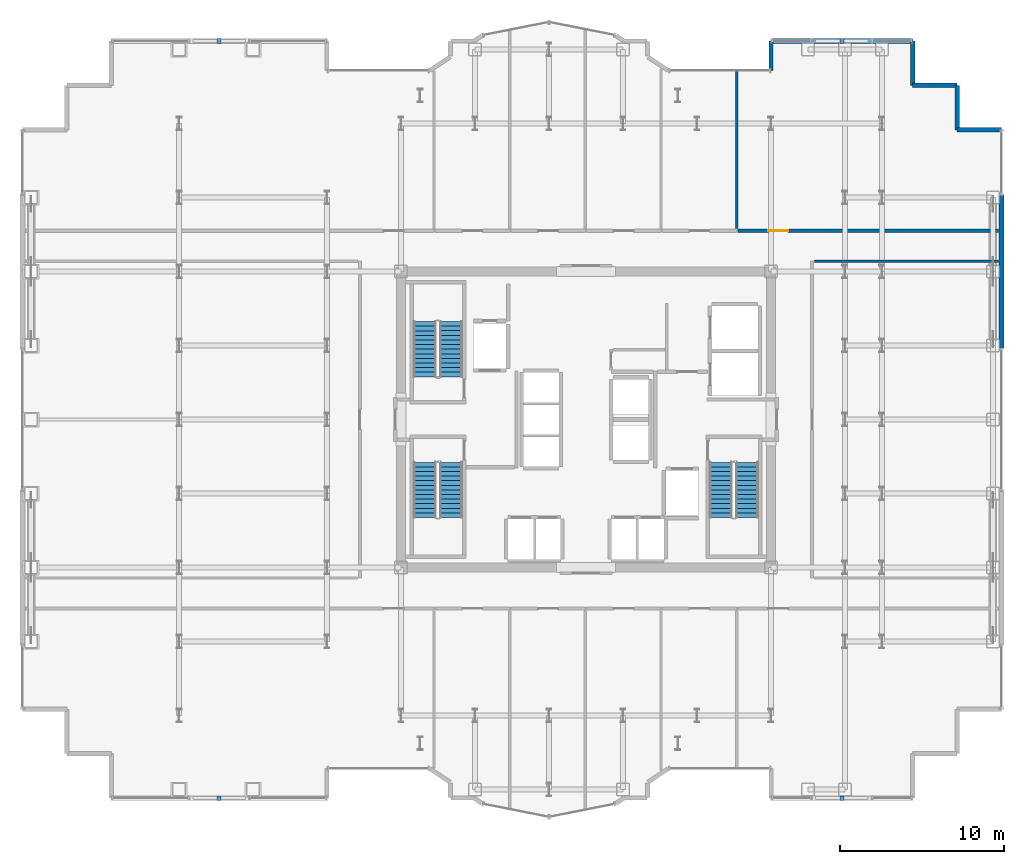
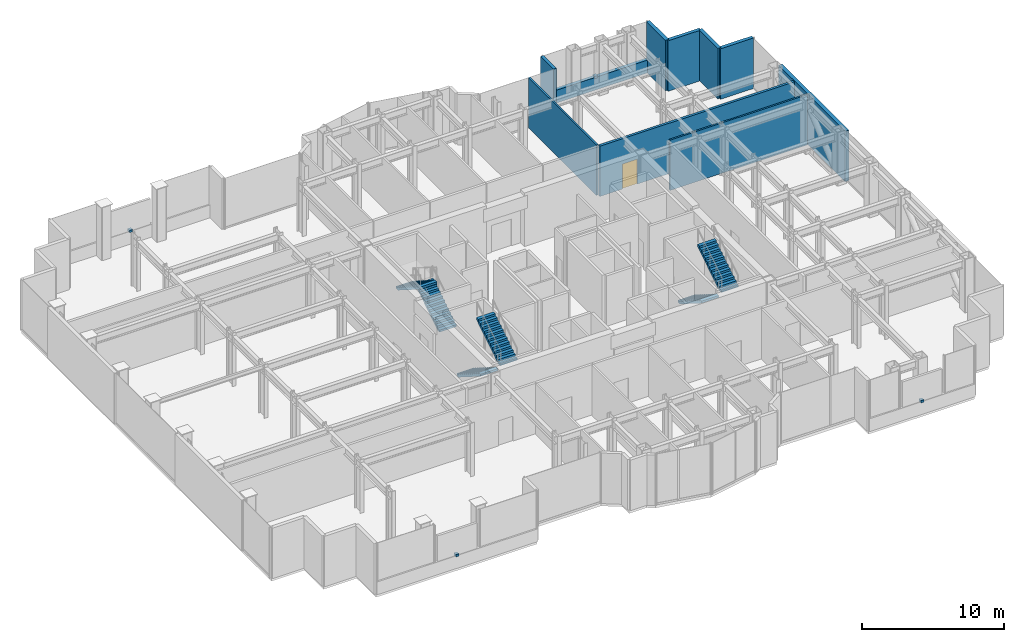
# One storey, part 23 of 26: 10 walls, 6 stair flights, 4 discrete accessories, 1 door, 1 opening, 3 elements without a shape of their own.
"""IFC4 building model written with IfcOpenShell, lengths in metres."""

from ifc_helpers import new_model, si_unit, direction, frame, frame_2d, origin, origin_2d, place, context, subcontext, project, spatial, polyline, rectangle, outline, extrude, source, transform, mapped, material, layer, layer_set, type_object, element, fill, aggregate, save


model = new_model("IFC4")

# Units and contexts
model_context = context("Model", 3, precision=1e-05, world=origin(), true_north=direction((0.0, 1.0)))
body_context = subcontext(model_context, "Body", "Model", "MODEL_VIEW")
ifc_project = project(units=[si_unit("LENGTHUNIT", "METRE"), si_unit("AREAUNIT", "SQUARE_METRE"), si_unit("VOLUMEUNIT", "CUBIC_METRE"), si_unit("PLANEANGLEUNIT", "RADIAN"), si_unit("MASSUNIT", "GRAM", prefix="KILO")], contexts=[model_context])

# Site, building, storey
site_placement = place(None, origin())
site = spatial("IfcSite", under=ifc_project, at=site_placement, CompositionType="ELEMENT")
building_placement = place(site_placement, origin())
building = spatial("IfcBuilding", under=site, at=building_placement, Name="Nefas-Gora Pilgrimage Tower", CompositionType="ELEMENT")
storey_placement = place(building_placement, frame((0.0, 0.0, 202.0)))
storey = spatial("IfcBuildingStorey", under=building, at=storey_placement, Name="L50", CompositionType="ELEMENT", Elevation=202.0)

# Walls
ifc_material_1 = material(Name="Precast concrete C45/55", Category="concrete")
ifc_layer_1 = layer(ifc_material_1, 0.239990234375)
ifc_layer_set_1 = layer_set([ifc_layer_1], Name="Precast concrete C45/55")
wall_type_1 = type_object("IfcWallType", Name="EW-SERR-240", PredefinedType="SHEAR", material=ifc_layer_set_1)
shared_shape_1 = source(origin(), body_context, "Body", "SweptSolid", [
    extrude(rectangle(XDim=9.3798828125, YDim=0.300048828125, at=frame_2d((4.68994140625, 0.0))), origin(), (0.0, 0.0, 1.0), 4.35009765625),
])
wall_1_placement = place(storey_placement, frame((25.27001953125, 4.31005859375, 0.0), z_axis=(0.0, 0.0, 1.0), x_axis=(0.0, 1.0, 0.0)))
element("IfcWall", 1, at=wall_1_placement, inside=storey, type_object=wall_type_1, Name="L50 Belt-Truss Precast Shear Cladding 4", PredefinedType="SHEAR", context=body_context, shape_type="MappedRepresentation", body=[
    mapped(shared_shape_1, transform((0.0, 0.0, 0.0), x_axis=(1.0, 0.0, 0.0), y_axis=(0.0, 1.0, 0.0), z_axis=(0.0, 0.0, 1.0), scale=1.0)),
])
ifc_material_2 = material(Name="Precast concrete C40/50", Category="concrete")
ifc_layer_2 = layer(ifc_material_2, 0.260009765625)
ifc_layer_set_2 = layer_set([ifc_layer_2], Name="Precast concrete C40/50")
wall_type_2 = type_object("IfcWallType", Name="EW-PORTAL-260", PredefinedType="SOLIDWALL", material=ifc_layer_set_2)
shared_shape_2 = source(origin(), body_context, "Body", "SweptSolid", [
    extrude(rectangle(XDim=1.800048828125, YDim=0.260009765625, at=frame_2d((0.89990234375, 0.0))), origin(), (0.0, 0.0, 1.0), 4.35009765625),
])
wall_2_placement = place(storey_placement, frame((11.25, 23.02001953125, 0.0), z_axis=(0.0, 0.0, 1.0), x_axis=(0.0, -1.0, 0.0)))
element("IfcWall", 2, at=wall_2_placement, inside=storey, type_object=wall_type_2, Name="L50 Lobe Shoulder Precast Spandrel Pier 16", PredefinedType="SOLIDWALL", context=body_context, shape_type="MappedRepresentation", body=[
    mapped(shared_shape_2, transform((0.0, 0.0, 0.0), x_axis=(1.0, 0.0, 0.0), y_axis=(0.0, 1.0, 0.0), z_axis=(0.0, 0.0, 1.0), scale=1.0)),
])
ifc_layer_3 = layer(ifc_material_1, 0.280029296875)
ifc_layer_set_3 = layer_set([ifc_layer_3], Name="Precast concrete C45/55")
wall_type_3 = type_object("IfcWallType", Name="EW-PLANT-280", PredefinedType="SOLIDWALL", material=ifc_layer_set_3)
shared_shape_3 = source(origin(), body_context, "Body", "SweptSolid", [
    extrude(rectangle(XDim=2.699951171875, YDim=0.280029296875, at=frame_2d((1.35009765625, 0.0))), origin(), (0.0, 0.0, 1.0), 4.35009765625),
])
for number, where, z_axis, x_axis, name in (
    (3, (25.27001953125, 17.6201171875, 0.0), (0.0, 0.0, 1.0), (-1.0, 0.0, 0.0), "L50 Serrated Corner Shear Pier Wall 11"),
    (4, (22.570068359375, 17.6201171875, 0.0), (0.0, 0.0, 1.0), (0.0, 1.0, 0.0), "L50 Serrated Corner Shear Pier Wall 12"),
    (5, (22.570068359375, 20.320068359375, 0.0), (0.0, 0.0, 1.0), (-1.0, 0.0, 0.0), "L50 Serrated Corner Shear Pier Wall 13"),
    (6, (19.8701171875, 20.320068359375, 0.0), (0.0, 0.0, 1.0), (0.0, 1.0, 0.0), "L50 Serrated Corner Shear Pier Wall 14"),
):
    element("IfcWall", number, at=place(storey_placement, frame(where, z_axis=z_axis, x_axis=x_axis)), inside=storey, type_object=wall_type_3, Name=name, PredefinedType="SOLIDWALL", context=body_context, shape_type="MappedRepresentation", body=[
        mapped(shared_shape_3, transform((0.0, 0.0, 0.0), x_axis=(1.0, 0.0, 0.0), y_axis=(0.0, 1.0, 0.0), z_axis=(0.0, 0.0, 1.0), scale=1.0)),
    ])
shared_shape_4 = source(origin(), body_context, "Body", "SweptSolid", [
    extrude(rectangle(XDim=8.6201171875, YDim=0.280029296875, at=frame_2d((4.31005859375, 0.0))), origin(), (0.0, 0.0, 1.0), 1.10009765625),
])
wall_3_placement = place(storey_placement, frame((19.8701171875, 23.02001953125, 0.0), z_axis=(0.0, 0.0, 1.0), x_axis=(-1.0, 0.0, 0.0)))
element("IfcWall", 7, at=wall_3_placement, inside=storey, type_object=wall_type_3, Name="L50 Plant Upstand Spandrel Wall 15", PredefinedType="SOLIDWALL", context=body_context, shape_type="MappedRepresentation", body=[
    mapped(shared_shape_4, transform((0.0, 0.0, 0.0), x_axis=(1.0, 0.0, 0.0), y_axis=(0.0, 1.0, 0.0), z_axis=(0.0, 0.0, 1.0), scale=1.0)),
])
ifc_material_3 = material(Name="Gypsum twin-stud partition")
ifc_layer_4 = layer(ifc_material_3, 0.139892578125)
ifc_layer_set_4 = layer_set([ifc_layer_4], Name="Gypsum twin-stud partition")
wall_type_4 = type_object("IfcWallType", Name="IW-UNIT-140", PredefinedType="PARTITIONING", material=ifc_layer_set_4)
shared_shape_5 = source(origin(), body_context, "Body", "SweptSolid", [
    extrude(rectangle(XDim=9.610107421875, YDim=0.139892578125, at=frame_2d((4.80517578125, 0.0))), origin(), (0.0, 0.0, 1.0), 4.3349609375),
])
wall_4_placement = place(storey_placement, frame((9.159912109375, 11.6298828125, 0.0), z_axis=(0.0, 0.0, 1.0), x_axis=(0.0, 1.0, 0.0)))
element("IfcWall", 8, at=wall_4_placement, inside=storey, type_object=wall_type_4, Name="L50 Building Automation and Controls Plant Room Partition Wall 35", PredefinedType="PARTITIONING", context=body_context, shape_type="MappedRepresentation", body=[
    mapped(shared_shape_5, transform((0.0, 0.0, 0.0), x_axis=(1.0, 0.0, 0.0), y_axis=(0.0, 1.0, 0.0), z_axis=(0.0, 0.0, 1.0), scale=1.0)),
])
shared_shape_6 = source(origin(), body_context, "Body", "SweptSolid", [
    extrude(rectangle(XDim=11.190185546875, YDim=0.139892578125, at=frame_2d((5.59521484375, 0.0))), origin(), (0.0, 0.0, 1.0), 4.3349609375),
])
wall_5_placement = place(storey_placement, frame((13.889892578125, 9.6298828125, 0.0), z_axis=(0.0, 0.0, 1.0), x_axis=(1.0, 0.0, 0.0)))
element("IfcWall", 9, at=wall_5_placement, inside=storey, type_object=wall_type_4, Name="L50 Refuge Area East Partition Wall 24", PredefinedType="PARTITIONING", context=body_context, shape_type="MappedRepresentation", body=[
    mapped(shared_shape_6, transform((0.0, 0.0, 0.0), x_axis=(1.0, 0.0, 0.0), y_axis=(0.0, 1.0, 0.0), z_axis=(0.0, 0.0, 1.0), scale=1.0)),
])

# Wall, opening, door
ifc_material_4 = material(Name="Concrete C40/50", Category="concrete")
ifc_layer_5 = layer(ifc_material_4, 0.199951171875)
ifc_layer_set_5 = layer_set([ifc_layer_5], Name="Concrete C40/50")
wall_type_5 = type_object("IfcWallType", Name="IW-PLANT-200", PredefinedType="SOLIDWALL", material=ifc_layer_set_5)
shared_shape_7 = source(origin(), body_context, "Body", "SweptSolid", [
    extrude(rectangle(XDim=15.85009765625, YDim=0.199951171875, at=frame_2d((7.925048828125, 0.0))), origin(), (0.0, 0.0, 1.0), 4.3349609375),
])
wall_6_placement = place(storey_placement, frame((9.22998046875, 11.489990234375, 0.0), z_axis=(0.0, 0.0, 1.0), x_axis=(1.0, 0.0, 0.0)))
wall_6 = element("IfcWall", 10, at=wall_6_placement, inside=storey, type_object=wall_type_5, Name="L50 MV Transformer and Switchgear Plant Room Partition Wall 36", PredefinedType="SOLIDWALL", context=body_context, shape_type="MappedRepresentation", body=[
    mapped(shared_shape_7, transform((0.0, 0.0, 0.0), x_axis=(1.0, 0.0, 0.0), y_axis=(0.0, 1.0, 0.0), z_axis=(0.0, 0.0, 1.0), scale=1.0)),
])
opening_placement = place(wall_6_placement, frame((1.864013671875, 0.0, 0.0)))
opening = element("IfcOpeningElement", 11, at=opening_placement, cuts=wall_6, Name="Opening ID-PL1", PredefinedType="OPENING", context=body_context, shape_type="SweptSolid", body=[
    extrude(rectangle(XDim=1.199951171875, YDim=2.14990234375, at=frame_2d((0.60009765625, 1.074951171875))), frame((0.0, 0.10986328125, 0.0), z_axis=(0.0, -1.0, 0.0), x_axis=(1.0, 0.0, 0.0)), (0.0, 0.0, 1.0), 0.219970703125),
])
ifc_material_5 = material(Name="Heavy-duty steel plant room fire door", Category="steel")
door_type = type_object("IfcDoorType", Name="DR-INT-PLANT-1200", OperationType="NOTDEFINED", PredefinedType="DOOR", material=ifc_material_5)
shared_shape_8 = source(origin(), body_context, "Body", "SweptSolid", [
    extrude(rectangle(XDim=1.199951171875, YDim=2.14990234375, at=frame_2d((0.60009765625, 1.074951171875))), frame((0.0, 0.02490234375, 0.0), z_axis=(0.0, -1.0, 0.0), x_axis=(1.0, 0.0, 0.0)), (0.0, 0.0, 1.0), 0.050048828125),
])
door_placement = place(opening_placement, origin())
door = element("IfcDoor", 12, at=door_placement, inside=storey, type_object=door_type, Name="L50 MV Transformer and Switchgear Plant Room Door 15", OperationType="SINGLE_SWING_RIGHT", OverallHeight=2.14990234375, OverallWidth=1.199951171875, PredefinedType="DOOR", context=body_context, shape_type="MappedRepresentation", body=[
    mapped(shared_shape_8, transform((0.0, 0.0, 0.0), x_axis=(1.0, 0.0, 0.0), y_axis=(0.0, 1.0, 0.0), z_axis=(0.0, 0.0, 1.0), scale=1.0)),
])
fill(opening, door)

# Stair, stair flights
ifc_material_6 = material(Name="Concrete C45/55", Category="concrete")
stair_type = type_object("IfcStairType", Name="STR-1400-R1769", PredefinedType="HALF_TURN_STAIR", material=ifc_material_6)
stair_1_placement = place(storey_placement, origin())
stair_1 = element("IfcStair", 13, at=stair_1_placement, inside=storey, type_object=stair_type, Name="L50 Pressurised Tower Exit Stair ST-01", PredefinedType="HALF_TURN_STAIR")
stair_flight_type = type_object("IfcStairFlightType", Name="STF-1400-R1769", PredefinedType="STRAIGHT", material=ifc_material_6)
shared_shape_9 = source(origin(), body_context, "Body", "SweptSolid", [
    extrude(outline(polyline([(0.0, 0.0), (0.0, 0.177001953125), (0.280029296875, 0.177001953125), (0.280029296875, 0.353759765625), (0.56005859375, 0.353759765625), (0.56005859375, 0.53076171875), (0.840087890625, 0.53076171875), (0.840087890625, 0.707763671875), (1.1201171875, 0.707763671875), (1.1201171875, 0.884521484375), (1.39990234375, 0.884521484375), (1.39990234375, 1.0615234375), (1.679931640625, 1.0615234375), (1.679931640625, 1.238525390625), (1.9599609375, 1.238525390625), (1.9599609375, 1.415283203125), (2.239990234375, 1.415283203125), (2.239990234375, 1.59228515625), (2.52001953125, 1.59228515625), (2.52001953125, 1.769287109375), (2.800048828125, 1.769287109375), (2.800048828125, 1.946044921875), (3.080078125, 1.946044921875), (3.080078125, 2.123046875), (3.360107421875, 2.123046875), (3.360107421875, 2.300048828125), (3.360107421875, 1.94580078125), (0.280517578125, 0.0), (0.0, 0.0)])), frame((0.0, 0.699951171875, 0.0), z_axis=(0.0, -1.0, 0.0), x_axis=(1.0, 0.0, 0.0)), (0.0, 0.0, 1.0), 1.39990234375),
])
stair_flight_1_placement = place(storey_placement, frame((-8.199951171875, 2.60009765625, 0.0), z_axis=(0.0, 0.0, 1.0), x_axis=(0.0, 1.0, 0.0)))
stair_flight_1 = element("IfcStairFlight", 14, at=stair_flight_1_placement, type_object=stair_flight_type, Name="ST-01 flight 1", NumberOfRisers=13, NumberOfTreads=12, PredefinedType="STRAIGHT", RiserHeight=0.176923077, TreadLength=0.28, context=body_context, shape_type="MappedRepresentation", body=[
    mapped(shared_shape_9, transform((0.0, 0.0, 0.0), x_axis=(1.0, 0.0, 0.0), y_axis=(0.0, 1.0, 0.0), z_axis=(0.0, 0.0, 1.0), scale=1.0)),
])
stair_flight_2_placement = place(storey_placement, frame((-9.800048828125, 5.9599609375, 2.300048828125), z_axis=(0.0, 0.0, 1.0), x_axis=(0.0, -1.0, 0.0)))
stair_flight_2 = element("IfcStairFlight", 15, at=stair_flight_2_placement, type_object=stair_flight_type, Name="ST-01 flight 2", NumberOfRisers=13, NumberOfTreads=12, PredefinedType="STRAIGHT", RiserHeight=0.176923077, TreadLength=0.28, context=body_context, shape_type="MappedRepresentation", body=[
    mapped(shared_shape_9, transform((0.0, 0.0, 0.0), x_axis=(1.0, 0.0, 0.0), y_axis=(0.0, 1.0, 0.0), z_axis=(0.0, 0.0, 1.0), scale=1.0)),
])
aggregate(stair_1, [stair_flight_1, stair_flight_2])

stair_2_placement = place(storey_placement, origin())
stair_2 = element("IfcStair", 16, at=stair_2_placement, inside=storey, type_object=stair_type, Name="L50 Pressurised Tower Exit Stair ST-02", PredefinedType="HALF_TURN_STAIR")
stair_flight_3_placement = place(storey_placement, frame((8.199951171875, -2.60009765625, 0.0), z_axis=(0.0, 0.0, 1.0), x_axis=(0.0, -1.0, 0.0)))
stair_flight_3 = element("IfcStairFlight", 17, at=stair_flight_3_placement, type_object=stair_flight_type, Name="ST-02 flight 1", NumberOfRisers=13, NumberOfTreads=12, PredefinedType="STRAIGHT", RiserHeight=0.176923077, TreadLength=0.28, context=body_context, shape_type="MappedRepresentation", body=[
    mapped(shared_shape_9, transform((0.0, 0.0, 0.0), x_axis=(1.0, 0.0, 0.0), y_axis=(0.0, 1.0, 0.0), z_axis=(0.0, 0.0, 1.0), scale=1.0)),
])
stair_flight_4_placement = place(storey_placement, frame((9.800048828125, -5.9599609375, 2.300048828125), z_axis=(0.0, 0.0, 1.0), x_axis=(0.0, 1.0, 0.0)))
stair_flight_4 = element("IfcStairFlight", 18, at=stair_flight_4_placement, type_object=stair_flight_type, Name="ST-02 flight 2", NumberOfRisers=13, NumberOfTreads=12, PredefinedType="STRAIGHT", RiserHeight=0.176923077, TreadLength=0.28, context=body_context, shape_type="MappedRepresentation", body=[
    mapped(shared_shape_9, transform((0.0, 0.0, 0.0), x_axis=(1.0, 0.0, 0.0), y_axis=(0.0, 1.0, 0.0), z_axis=(0.0, 0.0, 1.0), scale=1.0)),
])
aggregate(stair_2, [stair_flight_3, stair_flight_4])

stair_3_placement = place(storey_placement, origin())
stair_3 = element("IfcStair", 19, at=stair_3_placement, inside=storey, type_object=stair_type, Name="L50 Pressurised Tower Exit Stair ST-03", PredefinedType="HALF_TURN_STAIR")
stair_flight_5_placement = place(storey_placement, frame((-9.800048828125, -2.60009765625, 0.0), z_axis=(0.0, 0.0, 1.0), x_axis=(0.0, -1.0, 0.0)))
stair_flight_5 = element("IfcStairFlight", 20, at=stair_flight_5_placement, type_object=stair_flight_type, Name="ST-03 flight 1", NumberOfRisers=13, NumberOfTreads=12, PredefinedType="STRAIGHT", RiserHeight=0.176923077, TreadLength=0.28, context=body_context, shape_type="MappedRepresentation", body=[
    mapped(shared_shape_9, transform((0.0, 0.0, 0.0), x_axis=(1.0, 0.0, 0.0), y_axis=(0.0, 1.0, 0.0), z_axis=(0.0, 0.0, 1.0), scale=1.0)),
])
stair_flight_6_placement = place(storey_placement, frame((-8.199951171875, -5.9599609375, 2.300048828125), z_axis=(0.0, 0.0, 1.0), x_axis=(0.0, 1.0, 0.0)))
stair_flight_6 = element("IfcStairFlight", 21, at=stair_flight_6_placement, type_object=stair_flight_type, Name="ST-03 flight 2", NumberOfRisers=13, NumberOfTreads=12, PredefinedType="STRAIGHT", RiserHeight=0.176923077, TreadLength=0.28, context=body_context, shape_type="MappedRepresentation", body=[
    mapped(shared_shape_9, transform((0.0, 0.0, 0.0), x_axis=(1.0, 0.0, 0.0), y_axis=(0.0, 1.0, 0.0), z_axis=(0.0, 0.0, 1.0), scale=1.0)),
])
aggregate(stair_3, [stair_flight_5, stair_flight_6])

# Discrete accessories
ifc_material_7 = material(Name="Hot-dip galvanised steel S355", Category="steel")
discrete_accessory_type = type_object("IfcDiscreteAccessoryType", Name="ACC-BRACKET-STL", PredefinedType="BRACKET", material=ifc_material_7)
shared_shape_10 = source(origin(), body_context, "Body", "SweptSolid", [
    extrude(rectangle(XDim=0.239990234375, YDim=0.280029296875, at=origin_2d()), origin(), (0.0, 0.0, 1.0), 0.199951171875),
])
for number, where, z_axis, x_axis, name in (
    (22, (15.56005859375, -23.02001953125, 1.0), (0.0, 0.0, 1.0), (1.0, 0.0, 0.0), "L50 Louvre Support Bracket 6"),
    (23, (15.56005859375, 23.02001953125, 1.0), (0.0, 0.0, 1.0), (1.0, 0.0, 0.0), "L50 Louvre Support Bracket 15"),
    (24, (-22.31005859375, 23.02001953125, 1.0), (0.0, 0.0, 1.0), (1.0, 0.0, 0.0), "L50 Louvre Support Bracket 26"),
    (25, (-22.31005859375, -23.02001953125, 1.0), (0.0, 0.0, 1.0), (1.0, 0.0, 0.0), "L50 Louvre Support Bracket 35"),
):
    element("IfcDiscreteAccessory", number, at=place(storey_placement, frame(where, z_axis=z_axis, x_axis=x_axis)), inside=storey, type_object=discrete_accessory_type, Name=name, PredefinedType="BRACKET", context=body_context, shape_type="MappedRepresentation", body=[
        mapped(shared_shape_10, transform((0.0, 0.0, 0.0), x_axis=(1.0, 0.0, 0.0), y_axis=(0.0, 1.0, 0.0), z_axis=(0.0, 0.0, 1.0), scale=1.0)),
    ])

save(model, "model.ifc")
